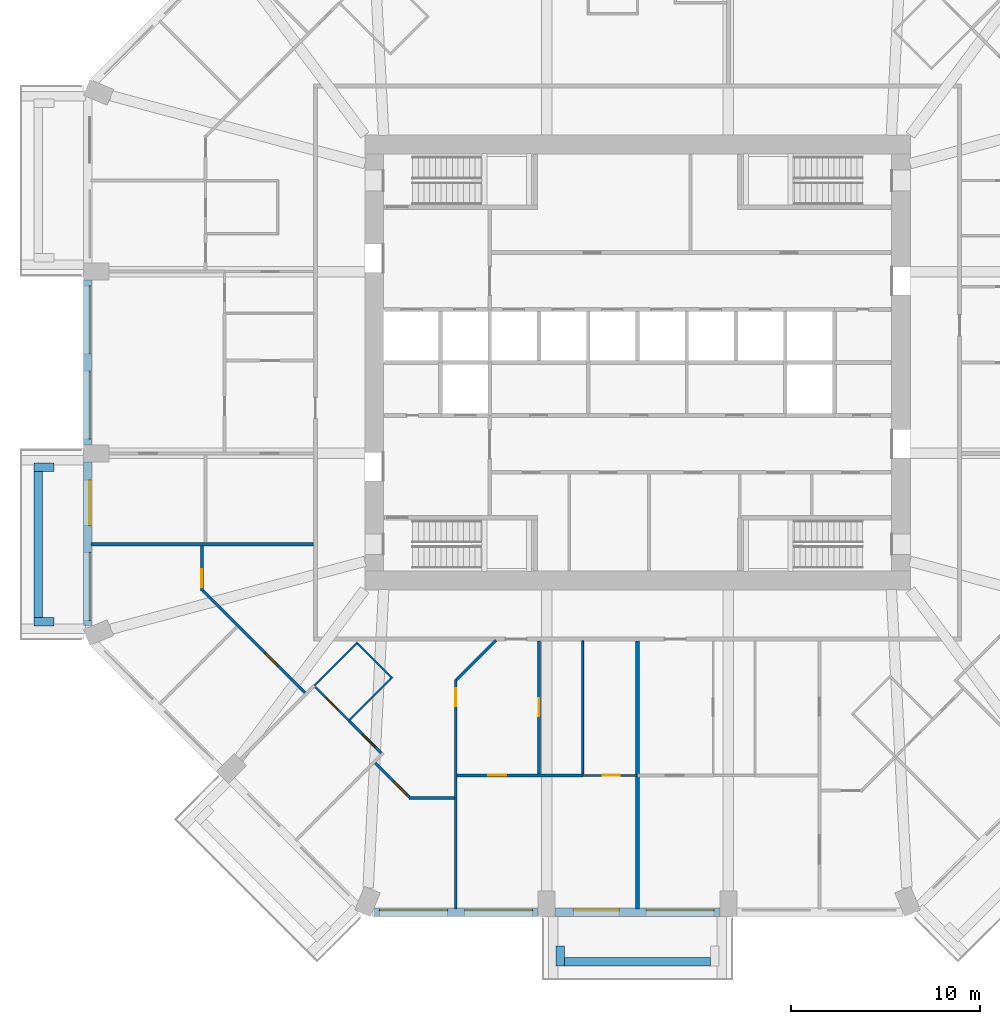
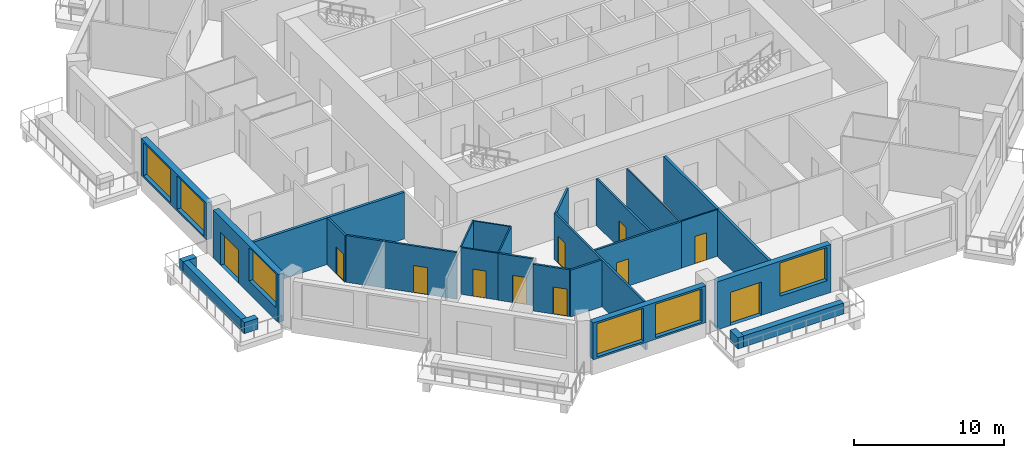
# One storey, part 3 of 13: 26 walls, 11 doors, 6 windows, 17 openings.
"""IFC4 building model written with IfcOpenShell, lengths in metres."""

from ifc_helpers import new_model, si_unit, direction, frame, frame_2d, origin, place, context, subcontext, project, spatial, rectangle, extrude, material, layer, layer_set, type_object, element, fill, save


model = new_model("IFC4")

# Units and contexts
model_context = context("Model", 3, precision=1e-05, world=origin(), true_north=direction((0.0, 1.0)))
body_context = subcontext(model_context, "Body", "Model", "MODEL_VIEW")
ifc_project = project(units=[si_unit("LENGTHUNIT", "METRE"), si_unit("AREAUNIT", "SQUARE_METRE"), si_unit("VOLUMEUNIT", "CUBIC_METRE"), si_unit("PLANEANGLEUNIT", "RADIAN"), si_unit("MASSUNIT", "GRAM", prefix="KILO")], contexts=[model_context])

# Site, building, storey
site_placement = place(None, origin())
site = spatial("IfcSite", under=ifc_project, at=site_placement, CompositionType="ELEMENT")
building_placement = place(site_placement, origin())
building = spatial("IfcBuilding", under=site, at=building_placement, Name="Msitu Wima Residences", CompositionType="ELEMENT")
storey_placement = place(building_placement, frame((0.0, 0.0, 92.699951171875)))
storey = spatial("IfcBuildingStorey", under=building, at=storey_placement, Name="L21", CompositionType="ELEMENT", Elevation=92.699951171875)

# Walls
ifc_material_1 = material(Name="Facing brick")
ifc_layer_1 = layer(ifc_material_1, 0.06494140625, Name="Facing brick")
ifc_material_2 = material(Name="Concrete C40/50", Category="concrete")
ifc_layer_2 = layer(ifc_material_2, 0.156005859375, Name="Concrete C40/50")
ifc_material_3 = material(Name="Waterproofing membrane")
ifc_layer_3 = layer(ifc_material_3, 0.00390625, Name="Waterproofing membrane")
ifc_material_4 = material(Name="Planting soil and planting")
ifc_layer_4 = layer(ifc_material_4, 0.22509765625, Name="Planting soil and planting")
ifc_layer_set_1 = layer_set([ifc_layer_1, ifc_layer_2, ifc_layer_3, ifc_layer_4], Name="Concrete C40/50")
wall_type_1 = type_object("IfcWallType", Name="Balcony planter PLANTER PL450", PredefinedType="USERDEFINED", material=ifc_layer_set_1)
wall_1_placement = place(storey_placement, frame((-31.625, -5.75, 0.0), z_axis=(0.0, 0.0, 1.0), x_axis=(0.0, -1.0, 0.0)))
element("IfcWall", 1, at=wall_1_placement, inside=storey, type_object=wall_type_1, Name="Balcony planter W2 L21", ObjectType="PLANTER", PredefinedType="USERDEFINED", context=body_context, shape_type="SweptSolid", body=[
    extrude(rectangle(XDim=7.699951171875, YDim=0.449951171875, at=frame_2d((3.85009765625, 0.0))), origin(), (0.0, 0.0, 1.0), 0.900146484375),
])
for number, where, z_axis, x_axis, name in (
    (2, (-30.800048828125, -5.52490234375, 0.0), (0.0, 0.0, 1.0), (-1.0, 0.0, 0.0), "Balcony planter W2 L21"),
    (3, (-30.800048828125, -13.675048828125, 0.0), (0.0, 0.0, 1.0), (-1.0, 0.0, 0.0), "Balcony planter W2 L21"),
):
    element("IfcWall", number, at=place(storey_placement, frame(where, z_axis=z_axis, x_axis=x_axis)), inside=storey, type_object=wall_type_1, Name=name, ObjectType="PLANTER", PredefinedType="USERDEFINED", context=body_context, shape_type="SweptSolid", body=[
        extrude(rectangle(XDim=1.050048828125, YDim=0.449951171875, at=frame_2d((0.52490234375, 0.0))), origin(), (0.0, 0.0, 1.0), 0.900146484375),
    ])
wall_2_placement = place(storey_placement, frame((-3.85009765625, -31.625, 0.0), z_axis=(0.0, 0.0, 1.0), x_axis=(1.0, 0.0, 0.0)))
element("IfcWall", 4, at=wall_2_placement, inside=storey, type_object=wall_type_1, Name="Balcony planter S1 L21", ObjectType="PLANTER", PredefinedType="USERDEFINED", context=body_context, shape_type="SweptSolid", body=[
    extrude(rectangle(XDim=7.7001953125, YDim=0.449951171875, at=frame_2d((3.85009765625, 0.0))), origin(), (0.0, 0.0, 1.0), 0.900146484375),
])
wall_3_placement = place(storey_placement, frame((-4.074951171875, -30.800048828125, 0.0), z_axis=(0.0, 0.0, 1.0), x_axis=(0.0, -1.0, 0.0)))
element("IfcWall", 5, at=wall_3_placement, inside=storey, type_object=wall_type_1, Name="Balcony planter S1 L21", ObjectType="PLANTER", PredefinedType="USERDEFINED", context=body_context, shape_type="SweptSolid", body=[
    extrude(rectangle(XDim=1.050048828125, YDim=0.449951171875, at=frame_2d((0.52490234375, 0.0))), origin(), (0.0, 0.0, 1.0), 0.900146484375),
])

# Wall, openings, windows
ifc_material_5 = material(Name="Brick (red buff mix)", Category="masonry")
ifc_layer_5 = layer(ifc_material_5, 0.449951171875)
ifc_layer_set_2 = layer_set([ifc_layer_5], Name="Brick (red buff mix)")
wall_type_2 = type_object("IfcWallType", Name="Brick infill wall BW450", PredefinedType="SOLIDWALL", material=ifc_layer_set_2)
wall_4_placement = place(storey_placement, frame((-29.02490234375, 4.35009765625, 0.900146484375), z_axis=(0.0, 0.0, 1.0), x_axis=(0.0, -1.0, 0.0)))
wall_4 = element("IfcWall", 6, at=wall_4_placement, inside=storey, type_object=wall_type_2, Name="Brick infill wall L21 W1", PredefinedType="SOLIDWALL", context=body_context, shape_type="SweptSolid", body=[
    extrude(rectangle(XDim=8.7001953125, YDim=0.449951171875, at=frame_2d((4.35009765625, 0.0))), origin(), (0.0, 0.0, 1.0), 3.0),
])
opening_1_placement = place(wall_4_placement, frame((0.300048828125, 0.0, 0.14990234375)))
opening_1 = element("IfcOpeningElement", 7, at=opening_1_placement, cuts=wall_4, Name="Opening W21.028", PredefinedType="OPENING", context=body_context, shape_type="SweptSolid", body=[
    extrude(rectangle(XDim=3.60009765625, YDim=2.699951171875, at=frame_2d((1.800048828125, 1.35009765625))), frame((0.0, 0.23486328125, 0.0), z_axis=(0.0, -1.0, 0.0), x_axis=(1.0, 0.0, 0.0)), (0.0, 0.0, 1.0), 0.469970703125),
])
opening_2_placement = place(wall_4_placement, frame((4.800048828125, 0.0, 0.14990234375)))
opening_2 = element("IfcOpeningElement", 8, at=opening_2_placement, cuts=wall_4, Name="Opening W21.029", PredefinedType="OPENING", context=body_context, shape_type="SweptSolid", body=[
    extrude(rectangle(XDim=3.60009765625, YDim=2.699951171875, at=frame_2d((1.800048828125, 1.35009765625))), frame((0.0, 0.23486328125, 0.0), z_axis=(0.0, -1.0, 0.0), x_axis=(1.0, 0.0, 0.0)), (0.0, 0.0, 1.0), 0.469970703125),
])
ifc_material_6 = material(Name="Anodised aluminium, bronze finish, clear low-emissivity double glazing", Category="aluminium")
window_type = type_object("IfcWindowType", Name="Window W3600x2700", PartitioningType="DOUBLE_PANEL_VERTICAL", PredefinedType="WINDOW", material=ifc_material_6)
window_1_placement = place(opening_1_placement, origin())
window_1 = element("IfcWindow", 9, at=window_1_placement, inside=storey, type_object=window_type, Name="Window L21 W1.1", OverallHeight=2.699951171875, OverallWidth=3.60009765625, PartitioningType="SINGLE_PANEL", PredefinedType="WINDOW", context=body_context, shape_type="SweptSolid", body=[
    extrude(rectangle(XDim=3.60009765625, YDim=2.699951171875, at=frame_2d((1.800048828125, 1.35009765625))), frame((0.0, 0.135009765625, 0.0), z_axis=(0.0, -1.0, 0.0), x_axis=(1.0, 0.0, 0.0)), (0.0, 0.0, 1.0), 0.06005859375),
])
fill(opening_1, window_1)
window_2_placement = place(opening_2_placement, origin())
window_2 = element("IfcWindow", 10, at=window_2_placement, inside=storey, type_object=window_type, Name="Window L21 W1.2", OverallHeight=2.699951171875, OverallWidth=3.60009765625, PartitioningType="SINGLE_PANEL", PredefinedType="WINDOW", context=body_context, shape_type="SweptSolid", body=[
    extrude(rectangle(XDim=3.60009765625, YDim=2.699951171875, at=frame_2d((1.800048828125, 1.35009765625))), frame((0.0, 0.135009765625, 0.0), z_axis=(0.0, -1.0, 0.0), x_axis=(1.0, 0.0, 0.0)), (0.0, 0.0, 1.0), 0.06005859375),
])
fill(opening_2, window_2)

# Wall, openings, door, window
wall_5_placement = place(storey_placement, frame((-29.02490234375, -5.25, 0.0), z_axis=(0.0, 0.0, 1.0), x_axis=(0.0, -1.0, 0.0)))
wall_5 = element("IfcWall", 11, at=wall_5_placement, inside=storey, type_object=wall_type_2, Name="Brick infill wall L21 W2", PredefinedType="SOLIDWALL", context=body_context, shape_type="SweptSolid", body=[
    extrude(rectangle(XDim=8.662841796875, YDim=0.449951171875, at=frame_2d((4.33154296875, 0.0))), origin(), (0.0, 0.0, 1.0), 3.900146484375),
])
opening_3_placement = place(wall_5_placement, frame((0.9658203125, 0.0, 0.0)))
opening_3 = element("IfcOpeningElement", 12, at=opening_3_placement, cuts=wall_5, Name="Opening D21.010", PredefinedType="OPENING", context=body_context, shape_type="SweptSolid", body=[
    extrude(rectangle(XDim=2.39990234375, YDim=2.699951171875, at=frame_2d((1.199951171875, 1.35009765625))), frame((0.0, 0.23486328125, 0.0), z_axis=(0.0, -1.0, 0.0), x_axis=(1.0, 0.0, 0.0)), (0.0, 0.0, 1.0), 0.469970703125),
])
opening_4_placement = place(wall_5_placement, frame((4.781494140625, 0.0, 1.050048828125)))
opening_4 = element("IfcOpeningElement", 13, at=opening_4_placement, cuts=wall_5, Name="Opening W21.030", PredefinedType="OPENING", context=body_context, shape_type="SweptSolid", body=[
    extrude(rectangle(XDim=3.60009765625, YDim=2.699951171875, at=frame_2d((1.800048828125, 1.35009765625))), frame((0.0, 0.23486328125, 0.0), z_axis=(0.0, -1.0, 0.0), x_axis=(1.0, 0.0, 0.0)), (0.0, 0.0, 1.0), 0.469970703125),
])
door_type_1 = type_object("IfcDoorType", Name="Balcony door D2400x2700", OperationType="SLIDING_TO_LEFT", PredefinedType="DOOR", material=ifc_material_6)
door_1_placement = place(opening_3_placement, origin())
door_1 = element("IfcDoor", 14, at=door_1_placement, inside=storey, type_object=door_type_1, Name="Balcony door L21 W2", OperationType="SINGLE_SWING_LEFT", OverallHeight=2.699951171875, OverallWidth=2.39990234375, PredefinedType="DOOR", context=body_context, shape_type="SweptSolid", body=[
    extrude(rectangle(XDim=2.39990234375, YDim=2.699951171875, at=frame_2d((1.199951171875, 1.35009765625))), frame((0.0, 0.1298828125, 0.0), z_axis=(0.0, -1.0, 0.0), x_axis=(1.0, 0.0, 0.0)), (0.0, 0.0, 1.0), 0.050048828125),
])
fill(opening_3, door_1)
window_3_placement = place(opening_4_placement, origin())
window_3 = element("IfcWindow", 15, at=window_3_placement, inside=storey, type_object=window_type, Name="Window L21 W2.2", OverallHeight=2.699951171875, OverallWidth=3.60009765625, PartitioningType="SINGLE_PANEL", PredefinedType="WINDOW", context=body_context, shape_type="SweptSolid", body=[
    extrude(rectangle(XDim=3.60009765625, YDim=2.699951171875, at=frame_2d((1.800048828125, 1.35009765625))), frame((0.0, 0.135009765625, 0.0), z_axis=(0.0, -1.0, 0.0), x_axis=(1.0, 0.0, 0.0)), (0.0, 0.0, 1.0), 0.06005859375),
])
fill(opening_4, window_3)

# Wall, openings, windows
wall_6_placement = place(storey_placement, frame((-13.912841796875, -29.02490234375, 0.900146484375), z_axis=(0.0, 0.0, 1.0), x_axis=(1.0, 0.0, 0.0)))
wall_6 = element("IfcWall", 16, at=wall_6_placement, inside=storey, type_object=wall_type_2, Name="Brick infill wall L21 S0", PredefinedType="SOLIDWALL", context=body_context, shape_type="SweptSolid", body=[
    extrude(rectangle(XDim=8.662841796875, YDim=0.449951171875, at=frame_2d((4.33154296875, 0.0))), origin(), (0.0, 0.0, 1.0), 3.0),
])
opening_5_placement = place(wall_6_placement, frame((0.281494140625, 0.0, 0.14990234375)))
opening_5 = element("IfcOpeningElement", 17, at=opening_5_placement, cuts=wall_6, Name="Opening W21.016", PredefinedType="OPENING", context=body_context, shape_type="SweptSolid", body=[
    extrude(rectangle(XDim=3.60009765625, YDim=2.699951171875, at=frame_2d((1.800048828125, 1.35009765625))), frame((0.0, 0.23486328125, 0.0), z_axis=(0.0, -1.0, 0.0), x_axis=(1.0, 0.0, 0.0)), (0.0, 0.0, 1.0), 0.469970703125),
])
opening_6_placement = place(wall_6_placement, frame((4.781494140625, 0.0, 0.14990234375)))
opening_6 = element("IfcOpeningElement", 18, at=opening_6_placement, cuts=wall_6, Name="Opening W21.017", PredefinedType="OPENING", context=body_context, shape_type="SweptSolid", body=[
    extrude(rectangle(XDim=3.60009765625, YDim=2.699951171875, at=frame_2d((1.800048828125, 1.35009765625))), frame((0.0, 0.23486328125, 0.0), z_axis=(0.0, -1.0, 0.0), x_axis=(1.0, 0.0, 0.0)), (0.0, 0.0, 1.0), 0.469970703125),
])
window_4_placement = place(opening_5_placement, origin())
window_4 = element("IfcWindow", 19, at=window_4_placement, inside=storey, type_object=window_type, Name="Window L21 S0.1", OverallHeight=2.699951171875, OverallWidth=3.60009765625, PartitioningType="SINGLE_PANEL", PredefinedType="WINDOW", context=body_context, shape_type="SweptSolid", body=[
    extrude(rectangle(XDim=3.60009765625, YDim=2.699951171875, at=frame_2d((1.800048828125, 1.35009765625))), frame((0.0, 0.135009765625, 0.0), z_axis=(0.0, -1.0, 0.0), x_axis=(1.0, 0.0, 0.0)), (0.0, 0.0, 1.0), 0.06005859375),
])
fill(opening_5, window_4)
window_5_placement = place(opening_6_placement, origin())
window_5 = element("IfcWindow", 20, at=window_5_placement, inside=storey, type_object=window_type, Name="Window L21 S0.2", OverallHeight=2.699951171875, OverallWidth=3.60009765625, PartitioningType="SINGLE_PANEL", PredefinedType="WINDOW", context=body_context, shape_type="SweptSolid", body=[
    extrude(rectangle(XDim=3.60009765625, YDim=2.699951171875, at=frame_2d((1.800048828125, 1.35009765625))), frame((0.0, 0.135009765625, 0.0), z_axis=(0.0, -1.0, 0.0), x_axis=(1.0, 0.0, 0.0)), (0.0, 0.0, 1.0), 0.06005859375),
])
fill(opening_6, window_5)

# Wall, openings, door, window
wall_7_placement = place(storey_placement, frame((-4.35009765625, -29.02490234375, 0.0), z_axis=(0.0, 0.0, 1.0), x_axis=(1.0, 0.0, 0.0)))
wall_7 = element("IfcWall", 21, at=wall_7_placement, inside=storey, type_object=wall_type_2, Name="Brick infill wall L21 S1", PredefinedType="SOLIDWALL", context=body_context, shape_type="SweptSolid", body=[
    extrude(rectangle(XDim=8.7001953125, YDim=0.449951171875, at=frame_2d((4.35009765625, 0.0))), origin(), (0.0, 0.0, 1.0), 3.900146484375),
])
opening_7_placement = place(wall_7_placement, frame((0.97509765625, 0.0, 0.0)))
opening_7 = element("IfcOpeningElement", 22, at=opening_7_placement, cuts=wall_7, Name="Opening D21.006", PredefinedType="OPENING", context=body_context, shape_type="SweptSolid", body=[
    extrude(rectangle(XDim=2.39990234375, YDim=2.699951171875, at=frame_2d((1.199951171875, 1.35009765625))), frame((0.0, 0.23486328125, 0.0), z_axis=(0.0, -1.0, 0.0), x_axis=(1.0, 0.0, 0.0)), (0.0, 0.0, 1.0), 0.469970703125),
])
opening_8_placement = place(wall_7_placement, frame((4.800048828125, 0.0, 1.050048828125)))
opening_8 = element("IfcOpeningElement", 23, at=opening_8_placement, cuts=wall_7, Name="Opening W21.018", PredefinedType="OPENING", context=body_context, shape_type="SweptSolid", body=[
    extrude(rectangle(XDim=3.60009765625, YDim=2.699951171875, at=frame_2d((1.800048828125, 1.35009765625))), frame((0.0, 0.23486328125, 0.0), z_axis=(0.0, -1.0, 0.0), x_axis=(1.0, 0.0, 0.0)), (0.0, 0.0, 1.0), 0.469970703125),
])
door_2_placement = place(opening_7_placement, origin())
door_2 = element("IfcDoor", 24, at=door_2_placement, inside=storey, type_object=door_type_1, Name="Balcony door L21 S1", OperationType="SINGLE_SWING_LEFT", OverallHeight=2.699951171875, OverallWidth=2.39990234375, PredefinedType="DOOR", context=body_context, shape_type="SweptSolid", body=[
    extrude(rectangle(XDim=2.39990234375, YDim=2.699951171875, at=frame_2d((1.199951171875, 1.35009765625))), frame((0.0, 0.1298828125, 0.0), z_axis=(0.0, -1.0, 0.0), x_axis=(1.0, 0.0, 0.0)), (0.0, 0.0, 1.0), 0.050048828125),
])
fill(opening_7, door_2)
window_6_placement = place(opening_8_placement, origin())
window_6 = element("IfcWindow", 25, at=window_6_placement, inside=storey, type_object=window_type, Name="Window L21 S1.2", OverallHeight=2.699951171875, OverallWidth=3.60009765625, PartitioningType="SINGLE_PANEL", PredefinedType="WINDOW", context=body_context, shape_type="SweptSolid", body=[
    extrude(rectangle(XDim=3.60009765625, YDim=2.699951171875, at=frame_2d((1.800048828125, 1.35009765625))), frame((0.0, 0.135009765625, 0.0), z_axis=(0.0, -1.0, 0.0), x_axis=(1.0, 0.0, 0.0)), (0.0, 0.0, 1.0), 0.06005859375),
])
fill(opening_8, window_6)

# Wall, opening, door
ifc_material_7 = material(Name="Plaster")
ifc_layer_6 = layer(ifc_material_7, 0.011962890625, Name="Plaster")
ifc_material_8 = material(Name="Concrete blockwork", Category="masonry")
ifc_layer_7 = layer(ifc_material_8, 0.1259765625, Name="Concrete blockwork")
ifc_layer_8 = layer(ifc_material_7, 0.011962890625, Name="Plaster")
ifc_layer_set_3 = layer_set([ifc_layer_6, ifc_layer_7, ifc_layer_8], Name="Concrete blockwork")
wall_type_3 = type_object("IfcWallType", Name="Partition PW150", PredefinedType="PARTITIONING", material=ifc_layer_set_3)
wall_8_placement = place(storey_placement, frame((-23.0, -12.072509765625, 0.0), z_axis=(0.0, 0.0, 1.0), x_axis=(0.0, 1.0, 0.0)))
wall_8 = element("IfcWall", 26, at=wall_8_placement, inside=storey, type_object=wall_type_3, Name="Partition", PredefinedType="PARTITIONING", context=body_context, shape_type="SweptSolid", body=[
    extrude(rectangle(XDim=2.37255859375, YDim=0.14990234375, at=frame_2d((1.186279296875, 0.0))), origin(), (0.0, 0.0, 1.0), 3.798095703125),
])
opening_9_placement = place(wall_8_placement, frame((0.199951171875, 0.0, 0.0)))
opening_9 = element("IfcOpeningElement", 27, at=opening_9_placement, cuts=wall_8, Name="Opening D21.071", PredefinedType="OPENING", context=body_context, shape_type="SweptSolid", body=[
    extrude(rectangle(XDim=0.949951171875, YDim=2.199951171875, at=frame_2d((0.47509765625, 1.10009765625))), frame((0.0, 0.0849609375, 0.0), z_axis=(0.0, -1.0, 0.0), x_axis=(1.0, 0.0, 0.0)), (0.0, 0.0, 1.0), 0.169921875),
])
ifc_material_9 = material(Name="Timber flush door", Category="wood")
door_type_2 = type_object("IfcDoorType", Name="Room door D12 950x2200", OperationType="SINGLE_SWING_LEFT", PredefinedType="DOOR", material=ifc_material_9)
door_3_placement = place(opening_9_placement, origin())
door_3 = element("IfcDoor", 28, at=door_3_placement, inside=storey, type_object=door_type_2, Name="Room door", OperationType="SINGLE_SWING_RIGHT", OverallHeight=2.199951171875, OverallWidth=0.949951171875, PredefinedType="DOOR", context=body_context, shape_type="SweptSolid", body=[
    extrude(rectangle(XDim=0.949951171875, YDim=2.199951171875, at=frame_2d((0.47509765625, 1.10009765625))), frame((0.0, 0.02490234375, 0.0), z_axis=(0.0, -1.0, 0.0), x_axis=(1.0, 0.0, 0.0)), (0.0, 0.0, 1.0), 0.050048828125),
])
fill(opening_9, door_3)

wall_9_placement = place(storey_placement, frame((-22.947021484375, -12.050537109375, 0.0), z_axis=(0.0, 0.0, 1.0), x_axis=(0.707106781187, -0.707106781187, 0.0)))
wall_9 = element("IfcWall", 29, at=wall_9_placement, inside=storey, type_object=wall_type_3, Name="Partition", PredefinedType="PARTITIONING", context=body_context, shape_type="SweptSolid", body=[
    extrude(rectangle(XDim=7.630126953125, YDim=0.14990234375, at=frame_2d((3.81494140625, 0.0))), origin(), (0.0, 0.0, 1.0), 3.798095703125),
])
opening_10_placement = place(wall_9_placement, frame((4.64990234375, 0.0, 0.0)))
opening_10 = element("IfcOpeningElement", 30, at=opening_10_placement, cuts=wall_9, Name="Opening D21.066", PredefinedType="OPENING", context=body_context, shape_type="SweptSolid", body=[
    extrude(rectangle(XDim=0.949951171875, YDim=2.199951171875, at=frame_2d((0.47509765625, 1.10009765625))), frame((0.0, 0.0849609375, 0.0), z_axis=(0.0, -1.0, 0.0), x_axis=(1.0, 0.0, 0.0)), (0.0, 0.0, 1.0), 0.169921875),
])
door_4_placement = place(opening_10_placement, origin())
door_4 = element("IfcDoor", 31, at=door_4_placement, inside=storey, type_object=door_type_2, Name="Room door", OperationType="SINGLE_SWING_RIGHT", OverallHeight=2.199951171875, OverallWidth=0.949951171875, PredefinedType="DOOR", context=body_context, shape_type="SweptSolid", body=[
    extrude(rectangle(XDim=0.949951171875, YDim=2.199951171875, at=frame_2d((0.47509765625, 1.10009765625))), frame((0.0, 0.02490234375, 0.0), z_axis=(0.0, -1.0, 0.0), x_axis=(1.0, 0.0, 0.0)), (0.0, 0.0, 1.0), 0.050048828125),
])
fill(opening_10, door_4)

wall_10_placement = place(storey_placement, frame((-15.221923828125, -18.92724609375, 0.0), z_axis=(0.0, 0.0, 1.0), x_axis=(0.707106781187, -0.707106781187, 0.0)))
wall_10 = element("IfcWall", 32, at=wall_10_placement, inside=storey, type_object=wall_type_3, Name="Partition", PredefinedType="PARTITIONING", context=body_context, shape_type="SweptSolid", body=[
    extrude(rectangle(XDim=2.396240234375, YDim=0.14990234375, at=frame_2d((1.1982421875, 0.0))), origin(), (0.0, 0.0, 1.0), 3.798095703125),
])
opening_11_placement = place(wall_10_placement, frame((1.0, 0.0, 0.0)))
opening_11 = element("IfcOpeningElement", 33, at=opening_11_placement, cuts=wall_10, Name="Opening D21.069", PredefinedType="OPENING", context=body_context, shape_type="SweptSolid", body=[
    extrude(rectangle(XDim=0.949951171875, YDim=2.199951171875, at=frame_2d((0.47509765625, 1.10009765625))), frame((0.0, 0.0849609375, 0.0), z_axis=(0.0, -1.0, 0.0), x_axis=(1.0, 0.0, 0.0)), (0.0, 0.0, 1.0), 0.169921875),
])
door_5_placement = place(opening_11_placement, origin())
door_5 = element("IfcDoor", 34, at=door_5_placement, inside=storey, type_object=door_type_2, Name="Room door", OperationType="SINGLE_SWING_LEFT", OverallHeight=2.199951171875, OverallWidth=0.949951171875, PredefinedType="DOOR", context=body_context, shape_type="SweptSolid", body=[
    extrude(rectangle(XDim=0.949951171875, YDim=2.199951171875, at=frame_2d((0.47509765625, 1.10009765625))), frame((0.0, 0.02490234375, 0.0), z_axis=(0.0, -1.0, 0.0), x_axis=(1.0, 0.0, 0.0)), (0.0, 0.0, 1.0), 0.050048828125),
])
fill(opening_11, door_5)

wall_11_placement = place(storey_placement, frame((-13.845703125, -21.15185546875, 0.0), z_axis=(0.0, 0.0, 1.0), x_axis=(0.707106781187, -0.707106781187, 0.0)))
wall_11 = element("IfcWall", 35, at=wall_11_placement, inside=storey, type_object=wall_type_3, Name="Partition", PredefinedType="PARTITIONING", context=body_context, shape_type="SweptSolid", body=[
    extrude(rectangle(XDim=2.538818359375, YDim=0.14990234375, at=frame_2d((1.26953125, 0.0))), origin(), (0.0, 0.0, 1.0), 3.798095703125),
])
opening_12_placement = place(wall_11_placement, frame((1.39990234375, 0.0, 0.0)))
opening_12 = element("IfcOpeningElement", 36, at=opening_12_placement, cuts=wall_11, Name="Opening D21.072", PredefinedType="OPENING", context=body_context, shape_type="SweptSolid", body=[
    extrude(rectangle(XDim=0.949951171875, YDim=2.199951171875, at=frame_2d((0.47509765625, 1.10009765625))), frame((0.0, 0.0849609375, 0.0), z_axis=(0.0, -1.0, 0.0), x_axis=(1.0, 0.0, 0.0)), (0.0, 0.0, 1.0), 0.169921875),
])
door_6_placement = place(opening_12_placement, origin())
door_6 = element("IfcDoor", 37, at=door_6_placement, inside=storey, type_object=door_type_2, Name="Room door", OperationType="SINGLE_SWING_RIGHT", OverallHeight=2.199951171875, OverallWidth=0.949951171875, PredefinedType="DOOR", context=body_context, shape_type="SweptSolid", body=[
    extrude(rectangle(XDim=0.949951171875, YDim=2.199951171875, at=frame_2d((0.47509765625, 1.10009765625))), frame((0.0, 0.02490234375, 0.0), z_axis=(0.0, -1.0, 0.0), x_axis=(1.0, 0.0, 0.0)), (0.0, 0.0, 1.0), 0.050048828125),
])
fill(opening_12, door_6)

# Wall
wall_12_placement = place(storey_placement, frame((-12.072509765625, -23.0, 0.0), z_axis=(0.0, 0.0, 1.0), x_axis=(1.0, 0.0, 0.0)))
element("IfcWall", 38, at=wall_12_placement, inside=storey, type_object=wall_type_3, Name="Partition", PredefinedType="PARTITIONING", context=body_context, shape_type="SweptSolid", body=[
    extrude(rectangle(XDim=2.3974609375, YDim=0.14990234375, at=frame_2d((1.19873046875, 0.0))), origin(), (0.0, 0.0, 1.0), 3.798095703125),
])

# Wall, opening, door
wall_13_placement = place(storey_placement, frame((-9.60009765625, -28.85498046875, 0.0), z_axis=(0.0, 0.0, 1.0), x_axis=(0.0, 1.0, 0.0)))
wall_13 = element("IfcWall", 39, at=wall_13_placement, inside=storey, type_object=wall_type_3, Name="Partition", PredefinedType="PARTITIONING", context=body_context, shape_type="SweptSolid", body=[
    extrude(rectangle(XDim=12.1298828125, YDim=0.14990234375, at=frame_2d((6.06494140625, 0.0))), origin(), (0.0, 0.0, 1.0), 3.798095703125),
])
opening_13_placement = place(wall_13_placement, frame((10.699951171875, 0.0, 0.0)))
opening_13 = element("IfcOpeningElement", 40, at=opening_13_placement, cuts=wall_13, Name="Opening D21.065", PredefinedType="OPENING", context=body_context, shape_type="SweptSolid", body=[
    extrude(rectangle(XDim=0.949951171875, YDim=2.199951171875, at=frame_2d((0.47509765625, 1.10009765625))), frame((0.0, 0.0849609375, 0.0), z_axis=(0.0, -1.0, 0.0), x_axis=(1.0, 0.0, 0.0)), (0.0, 0.0, 1.0), 0.169921875),
])
door_7_placement = place(opening_13_placement, origin())
door_7 = element("IfcDoor", 41, at=door_7_placement, inside=storey, type_object=door_type_2, Name="Room door", OperationType="SINGLE_SWING_RIGHT", OverallHeight=2.199951171875, OverallWidth=0.949951171875, PredefinedType="DOOR", context=body_context, shape_type="SweptSolid", body=[
    extrude(rectangle(XDim=0.949951171875, YDim=2.199951171875, at=frame_2d((0.47509765625, 1.10009765625))), frame((0.0, 0.02490234375, 0.0), z_axis=(0.0, -1.0, 0.0), x_axis=(1.0, 0.0, 0.0)), (0.0, 0.0, 1.0), 0.050048828125),
])
fill(opening_13, door_7)

wall_14_placement = place(storey_placement, frame((-9.52490234375, -21.800048828125, 0.0), z_axis=(0.0, 0.0, 1.0), x_axis=(1.0, 0.0, 0.0)))
wall_14 = element("IfcWall", 42, at=wall_14_placement, inside=storey, type_object=wall_type_3, Name="Partition", PredefinedType="PARTITIONING", context=body_context, shape_type="SweptSolid", body=[
    extrude(rectangle(XDim=6.64501953125, YDim=0.14990234375, at=frame_2d((3.322509765625, 0.0))), origin(), (0.0, 0.0, 1.0), 3.798095703125),
])
opening_14_placement = place(wall_14_placement, frame((1.64990234375, 0.0, 0.0)))
opening_14 = element("IfcOpeningElement", 43, at=opening_14_placement, cuts=wall_14, Name="Opening D21.067", PredefinedType="OPENING", context=body_context, shape_type="SweptSolid", body=[
    extrude(rectangle(XDim=0.949951171875, YDim=2.199951171875, at=frame_2d((0.47509765625, 1.10009765625))), frame((0.0, 0.0849609375, 0.0), z_axis=(0.0, -1.0, 0.0), x_axis=(1.0, 0.0, 0.0)), (0.0, 0.0, 1.0), 0.169921875),
])
door_8_placement = place(opening_14_placement, origin())
door_8 = element("IfcDoor", 44, at=door_8_placement, inside=storey, type_object=door_type_2, Name="Room door", OperationType="SINGLE_SWING_RIGHT", OverallHeight=2.199951171875, OverallWidth=0.949951171875, PredefinedType="DOOR", context=body_context, shape_type="SweptSolid", body=[
    extrude(rectangle(XDim=0.949951171875, YDim=2.199951171875, at=frame_2d((0.47509765625, 1.10009765625))), frame((0.0, 0.02490234375, 0.0), z_axis=(0.0, -1.0, 0.0), x_axis=(1.0, 0.0, 0.0)), (0.0, 0.0, 1.0), 0.050048828125),
])
fill(opening_14, door_8)

# Wall
wall_15_placement = place(storey_placement, frame((-9.546875, -16.7470703125, 0.0), z_axis=(0.0, 0.0, 1.0), x_axis=(0.707065207457, 0.707148352472, 0.0)))
element("IfcWall", 45, at=wall_15_placement, inside=storey, type_object=wall_type_3, Name="Partition", PredefinedType="PARTITIONING", context=body_context, shape_type="SweptSolid", body=[
    extrude(rectangle(XDim=2.936279296875, YDim=0.14990234375, at=frame_2d((1.46826171875, 0.0))), origin(), (0.0, 0.0, 1.0), 3.798095703125),
])

# Wall, opening, door
wall_16_placement = place(storey_placement, frame((-5.199951171875, -21.72509765625, 0.0), z_axis=(0.0, 0.0, 1.0), x_axis=(0.0, 1.0, 0.0)))
wall_16 = element("IfcWall", 46, at=wall_16_placement, inside=storey, type_object=wall_type_3, Name="Partition", PredefinedType="PARTITIONING", context=body_context, shape_type="SweptSolid", body=[
    extrude(rectangle(XDim=7.025146484375, YDim=0.14990234375, at=frame_2d((3.5126953125, 0.0))), origin(), (0.0, 0.0, 1.0), 3.798095703125),
])
opening_15_placement = place(wall_16_placement, frame((3.050048828125, 0.0, 0.0)))
opening_15 = element("IfcOpeningElement", 47, at=opening_15_placement, cuts=wall_16, Name="Opening D21.068", PredefinedType="OPENING", context=body_context, shape_type="SweptSolid", body=[
    extrude(rectangle(XDim=0.949951171875, YDim=2.199951171875, at=frame_2d((0.47509765625, 1.10009765625))), frame((0.0, 0.0849609375, 0.0), z_axis=(0.0, -1.0, 0.0), x_axis=(1.0, 0.0, 0.0)), (0.0, 0.0, 1.0), 0.169921875),
])
door_9_placement = place(opening_15_placement, origin())
door_9 = element("IfcDoor", 48, at=door_9_placement, inside=storey, type_object=door_type_2, Name="Room door", OperationType="SINGLE_SWING_LEFT", OverallHeight=2.199951171875, OverallWidth=0.949951171875, PredefinedType="DOOR", context=body_context, shape_type="SweptSolid", body=[
    extrude(rectangle(XDim=0.949951171875, YDim=2.199951171875, at=frame_2d((0.47509765625, 1.10009765625))), frame((0.0, 0.02490234375, 0.0), z_axis=(0.0, -1.0, 0.0), x_axis=(1.0, 0.0, 0.0)), (0.0, 0.0, 1.0), 0.050048828125),
])
fill(opening_15, door_9)

# Walls
ifc_layer_9 = layer(ifc_material_7, 0.011962890625, Name="Plaster")
ifc_material_10 = material(Name="Dense concrete blockwork", Category="masonry")
ifc_layer_10 = layer(ifc_material_10, 0.176025390625, Name="Dense concrete blockwork")
ifc_layer_11 = layer(ifc_material_7, 0.011962890625, Name="Plaster")
ifc_layer_set_4 = layer_set([ifc_layer_9, ifc_layer_10, ifc_layer_11], Name="Dense concrete blockwork")
wall_type_4 = type_object("IfcWallType", Name="Party wall PW200", PredefinedType="PARTITIONING", material=ifc_layer_set_4)
wall_17_placement = place(storey_placement, frame((-28.85498046875, -9.60009765625, 0.0), z_axis=(0.0, 0.0, 1.0), x_axis=(1.0, 0.0, 0.0)))
element("IfcWall", 49, at=wall_17_placement, inside=storey, type_object=wall_type_4, Name="Party wall", PredefinedType="PARTITIONING", context=body_context, shape_type="SweptSolid", body=[
    extrude(rectangle(XDim=11.7548828125, YDim=0.199951171875, at=frame_2d((5.87744140625, 0.0))), origin(), (0.0, 0.0, 1.0), 3.798095703125),
])
wall_18_placement = place(storey_placement, frame((0.0, -28.85498046875, 0.0), z_axis=(0.0, 0.0, 1.0), x_axis=(0.0, 1.0, 0.0)))
element("IfcWall", 50, at=wall_18_placement, inside=storey, type_object=wall_type_4, Name="Party wall", PredefinedType="PARTITIONING", context=body_context, shape_type="SweptSolid", body=[
    extrude(rectangle(XDim=14.155029296875, YDim=0.199951171875, at=frame_2d((7.07763671875, 0.0))), origin(), (0.0, 0.0, 1.0), 3.798095703125),
])
ifc_material_11 = material(Name="Ceramic tiles")
ifc_layer_12 = layer(ifc_material_11, 0.008056640625, Name="Ceramic tiles")
ifc_material_12 = material(Name="Moisture-resistant board")
ifc_layer_13 = layer(ifc_material_12, 0.012451171875, Name="Moisture-resistant board")
ifc_material_13 = material(Name="Light-gauge stud framing with mineral wool")
ifc_layer_14 = layer(ifc_material_13, 0.06689453125, Name="Light-gauge stud framing with mineral wool")
ifc_layer_15 = layer(ifc_material_12, 0.012451171875, Name="Moisture-resistant board")
ifc_layer_set_5 = layer_set([ifc_layer_12, ifc_layer_13, ifc_layer_14, ifc_layer_15], Name="Light-gauge stud framing with mineral wool")
wall_type_5 = type_object("IfcWallType", Name="Wet wall PW100", PredefinedType="PARTITIONING", material=ifc_layer_set_5)
wall_19_placement = place(storey_placement, frame((-17.060302734375, -17.060302734375, 0.0), z_axis=(0.0, 0.0, 1.0), x_axis=(0.707106781187, 0.707106781187, 0.0)))
element("IfcWall", 51, at=wall_19_placement, inside=storey, type_object=wall_type_5, Name="Wet wall", PredefinedType="PARTITIONING", context=body_context, shape_type="SweptSolid", body=[
    extrude(rectangle(XDim=3.22998046875, YDim=0.10009765625, at=frame_2d((1.614990234375, 0.0))), origin(), (0.0, 0.0, 1.0), 3.798095703125),
])

# Wall, opening, door
wall_20_placement = place(storey_placement, frame((-17.021484375, -17.12744140625, 0.0), z_axis=(0.0, 0.0, 1.0), x_axis=(0.707058817356, -0.707154741764, 0.0)))
wall_20 = element("IfcWall", 52, at=wall_20_placement, inside=storey, type_object=wall_type_5, Name="Wet wall", PredefinedType="PARTITIONING", context=body_context, shape_type="SweptSolid", body=[
    extrude(rectangle(XDim=2.545166015625, YDim=0.10009765625, at=frame_2d((1.2724609375, 0.0))), origin(), (0.0, 0.0, 1.0), 3.798095703125),
])
opening_16_placement = place(wall_20_placement, frame((0.800048828125, 0.0, 0.0)))
opening_16 = element("IfcOpeningElement", 53, at=opening_16_placement, cuts=wall_20, Name="Opening D21.070", PredefinedType="OPENING", context=body_context, shape_type="SweptSolid", body=[
    extrude(rectangle(XDim=0.89990234375, YDim=2.199951171875, at=frame_2d((0.449951171875, 1.10009765625))), frame((0.0, 0.06005859375, 0.0), z_axis=(0.0, -1.0, 0.0), x_axis=(1.0, 0.0, 0.0)), (0.0, 0.0, 1.0), 0.1201171875),
])
ifc_material_14 = material(Name="Timber flush door, moisture resistant", Category="wood")
door_type_3 = type_object("IfcDoorType", Name="Bathroom door D03 900x2200", OperationType="SINGLE_SWING_LEFT", PredefinedType="DOOR", material=ifc_material_14)
door_10_placement = place(opening_16_placement, origin())
door_10 = element("IfcDoor", 54, at=door_10_placement, inside=storey, type_object=door_type_3, Name="Bathroom door", OperationType="SINGLE_SWING_RIGHT", OverallHeight=2.199951171875, OverallWidth=0.89990234375, PredefinedType="DOOR", context=body_context, shape_type="SweptSolid", body=[
    extrude(rectangle(XDim=0.89990234375, YDim=2.199951171875, at=frame_2d((0.449951171875, 1.10009765625))), frame((0.0, 0.02490234375, 0.0), z_axis=(0.0, -1.0, 0.0), x_axis=(1.0, 0.0, 0.0)), (0.0, 0.0, 1.0), 0.050048828125),
])
fill(opening_16, door_10)

# Walls
wall_21_placement = place(storey_placement, frame((-15.20068359375, -18.877685546875, 0.0), z_axis=(0.0, 0.0, 1.0), x_axis=(0.707106781187, 0.707106781187, 0.0)))
element("IfcWall", 55, at=wall_21_placement, inside=storey, type_object=wall_type_5, Name="Wet wall", PredefinedType="PARTITIONING", context=body_context, shape_type="SweptSolid", body=[
    extrude(rectangle(XDim=3.199951171875, YDim=0.10009765625, at=frame_2d((1.60009765625, 0.0))), origin(), (0.0, 0.0, 1.0), 3.798095703125),
])
wall_22_placement = place(storey_placement, frame((-14.7763671875, -14.84716796875, 0.0), z_axis=(0.0, 0.0, 1.0), x_axis=(0.707106781187, -0.707106781187, 0.0)))
element("IfcWall", 56, at=wall_22_placement, inside=storey, type_object=wall_type_5, Name="Wet wall", PredefinedType="PARTITIONING", context=body_context, shape_type="SweptSolid", body=[
    extrude(rectangle(XDim=2.5, YDim=0.10009765625, at=frame_2d((1.25, 0.0))), origin(), (0.0, 0.0, 1.0), 3.798095703125),
])

# Wall, opening, door
wall_23_placement = place(storey_placement, frame((-2.8798828125, -21.800048828125, 0.0), z_axis=(0.0, 0.0, 1.0), x_axis=(1.0, 0.0, 0.0)))
wall_23 = element("IfcWall", 57, at=wall_23_placement, inside=storey, type_object=wall_type_5, Name="Wet wall", PredefinedType="PARTITIONING", context=body_context, shape_type="SweptSolid", body=[
    extrude(rectangle(XDim=2.8798828125, YDim=0.10009765625, at=frame_2d((1.43994140625, 0.0))), origin(), (0.0, 0.0, 1.0), 3.798095703125),
])
opening_17_placement = place(wall_23_placement, frame((1.050048828125, 0.0, 0.0)))
opening_17 = element("IfcOpeningElement", 58, at=opening_17_placement, cuts=wall_23, Name="Opening D21.074", PredefinedType="OPENING", context=body_context, shape_type="SweptSolid", body=[
    extrude(rectangle(XDim=0.89990234375, YDim=2.199951171875, at=frame_2d((0.449951171875, 1.10009765625))), frame((0.0, 0.06005859375, 0.0), z_axis=(0.0, -1.0, 0.0), x_axis=(1.0, 0.0, 0.0)), (0.0, 0.0, 1.0), 0.1201171875),
])
door_11_placement = place(opening_17_placement, origin())
door_11 = element("IfcDoor", 59, at=door_11_placement, inside=storey, type_object=door_type_3, Name="Bathroom door", OperationType="SINGLE_SWING_RIGHT", OverallHeight=2.199951171875, OverallWidth=0.89990234375, PredefinedType="DOOR", context=body_context, shape_type="SweptSolid", body=[
    extrude(rectangle(XDim=0.89990234375, YDim=2.199951171875, at=frame_2d((0.449951171875, 1.10009765625))), frame((0.0, 0.02490234375, 0.0), z_axis=(0.0, -1.0, 0.0), x_axis=(1.0, 0.0, 0.0)), (0.0, 0.0, 1.0), 0.050048828125),
])
fill(opening_17, door_11)

# Wall
wall_24_placement = place(storey_placement, frame((-2.89990234375, -21.72509765625, 0.0), z_axis=(0.0, 0.0, 1.0), x_axis=(0.0, 1.0, 0.0)))
element("IfcWall", 60, at=wall_24_placement, inside=storey, type_object=wall_type_5, Name="Wet wall", PredefinedType="PARTITIONING", context=body_context, shape_type="SweptSolid", body=[
    extrude(rectangle(XDim=7.025146484375, YDim=0.10009765625, at=frame_2d((3.5126953125, 0.0))), origin(), (0.0, 0.0, 1.0), 3.798095703125),
])

save(model, "model.ifc")
